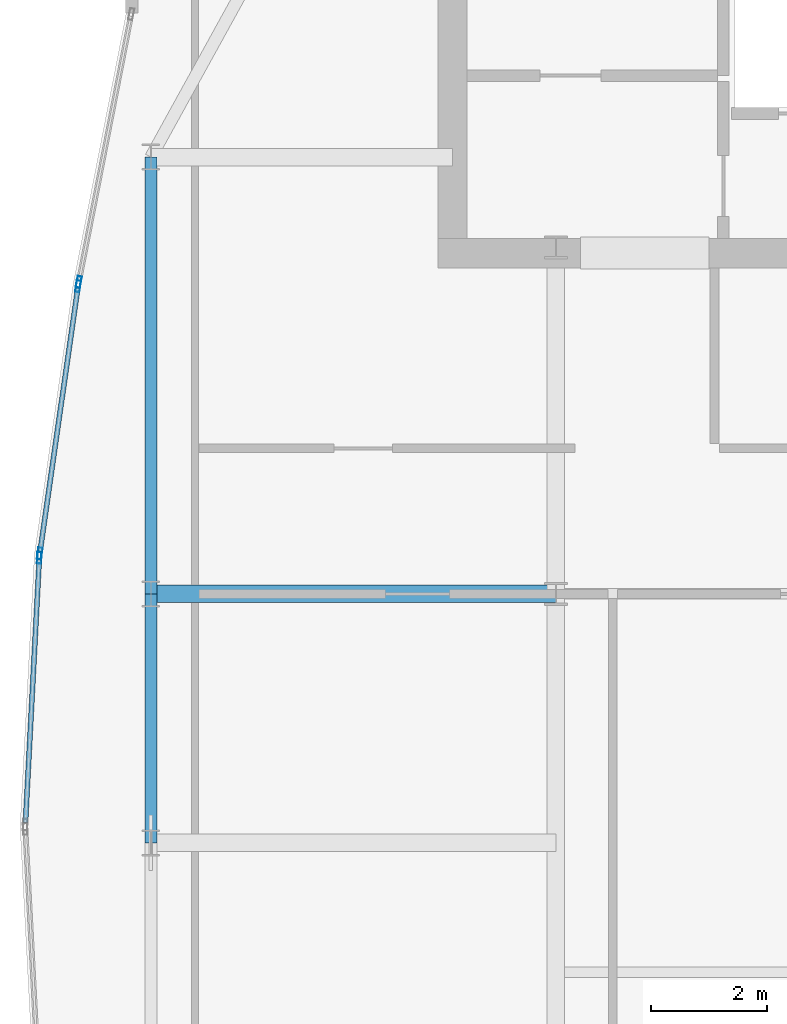
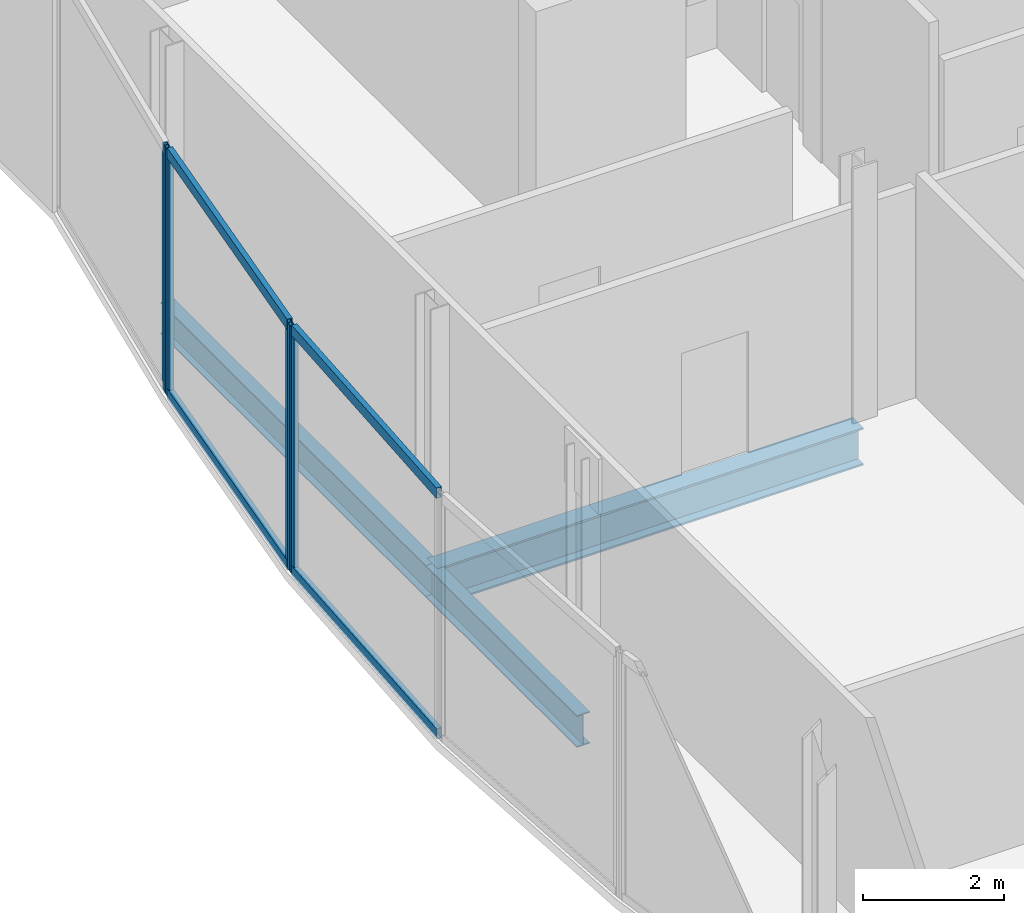
# One storey, part 10 of 27: 8 members, 3 beams, 3 elements without a shape of their own.
"""IFC4 building model written with IfcOpenShell, lengths in metres."""

from ifc_helpers import new_model, si_unit, direction, frame, origin, origin_2d, place, context, subcontext, project, spatial, hollow_rectangle, i_section, extrude, material, material_profile, profile_set, type_object, element, aggregate, save


model = new_model("IFC4")

# Units and contexts
model_context = context("Model", 3, precision=1e-05, world=origin(), true_north=direction((0.0, 1.0)))
body_context = subcontext(model_context, "Body", "Model", "MODEL_VIEW")
ifc_project = project(units=[si_unit("LENGTHUNIT", "METRE"), si_unit("AREAUNIT", "SQUARE_METRE"), si_unit("VOLUMEUNIT", "CUBIC_METRE"), si_unit("PLANEANGLEUNIT", "RADIAN"), si_unit("MASSUNIT", "GRAM", prefix="KILO")], contexts=[model_context])

# Site, building, storey
site_placement = place(None, origin())
site = spatial("IfcSite", under=ifc_project, at=site_placement, CompositionType="ELEMENT")
building_placement = place(site_placement, origin())
building = spatial("IfcBuilding", under=site, at=building_placement, Name="Khoronbel Lancet Exchange", CompositionType="ELEMENT")
storey_placement = place(building_placement, frame((0.0, 0.0, 310.199951171875)))
storey = spatial("IfcBuildingStorey", under=building, at=storey_placement, Name="L80", CompositionType="ELEMENT", Elevation=310.199951171875)

# Beams
ifc_material_1 = material(Name="Steel S355", Category="steel")
ifc_material_profile_1 = material_profile(ifc_material_1, i_section(OverallWidth=0.300048828125, OverallDepth=0.64990234375, WebThickness=0.01611328125, FlangeThickness=0.031005859375, at=origin_2d()), Name="HEB 650")
ifc_profile_set_1 = profile_set([ifc_material_profile_1], Name="Steel S355")
beam_type_1 = type_object("IfcBeamType", Name="BM-BG4", PredefinedType="BEAM", material=ifc_profile_set_1)
beam_1_placement = place(storey_placement, frame((11.27001953125, 35.699951171875, -0.48486328125), z_axis=(1.0, 0.0, 0.0), x_axis=(0.0, 1.0, 0.0)))
element("IfcBeam", 1, at=beam_1_placement, inside=storey, type_object=beam_type_1, Name="Level L80 west lens tie girder LG4W", PredefinedType="BEAM", context=body_context, shape_type="SweptSolid", body=[
    extrude(i_section(OverallWidth=0.300048828125, OverallDepth=0.64990234375, WebThickness=0.01611328125, FlangeThickness=0.031005859375, at=origin_2d()), origin(), (0.0, 0.0, 1.0), 6.955078125),
])
ifc_material_profile_2 = material_profile(ifc_material_1, i_section(OverallWidth=0.2099609375, OverallDepth=0.550048828125, WebThickness=0.010986328125, FlangeThickness=0.01708984375, at=origin_2d()), Name="IPE 550")
ifc_profile_set_2 = profile_set([ifc_material_profile_2], Name="Steel S355")
beam_type_2 = type_object("IfcBeamType", Name="BM-BSP3", PredefinedType="SPANDREL", material=ifc_profile_set_2)
beam_2_placement = place(storey_placement, frame((11.27001953125, 43.199951171875, -0.43505859375), z_axis=(0.0, -1.0, 0.0), x_axis=(1.0, 0.0, 0.0)))
element("IfcBeam", 2, at=beam_2_placement, inside=storey, type_object=beam_type_2, Name="Level L80 perimeter spandrel beam SP15", PredefinedType="SPANDREL", context=body_context, shape_type="SweptSolid", body=[
    extrude(i_section(OverallWidth=0.2099609375, OverallDepth=0.550048828125, WebThickness=0.010986328125, FlangeThickness=0.01708984375, at=origin_2d()), origin(), (0.0, 0.0, 1.0), 7.5),
])
beam_3_placement = place(storey_placement, frame((11.27001953125, 35.699951171875, -0.43505859375), z_axis=(0.0, -1.0, 0.0), x_axis=(1.0, 0.0, 0.0)))
element("IfcBeam", 3, at=beam_3_placement, inside=storey, type_object=beam_type_2, Name="Level L80 perimeter spandrel beam SP16", PredefinedType="SPANDREL", context=body_context, shape_type="SweptSolid", body=[
    extrude(i_section(OverallWidth=0.2099609375, OverallDepth=0.550048828125, WebThickness=0.010986328125, FlangeThickness=0.01708984375, at=origin_2d()), origin(), (0.0, 0.0, 1.0), 4.27490234375),
])

# Curtain wall, member
ifc_material_2 = material(Name="Low-E Solar Control Insulating Glass", Category="glass")
curtain_wall_type = type_object("IfcCurtainWallType", Name="CW-4", PredefinedType="NOTDEFINED", material=ifc_material_2)
curtain_wall_1_placement = place(storey_placement, origin())
curtain_wall_1 = element("IfcCurtainWall", 4, at=curtain_wall_1_placement, inside=storey, type_object=curtain_wall_type, Name="Unitised curtain wall CW-L80-E07", PredefinedType="NOTDEFINED")
ifc_material_3 = material(Name="Bronze-Anodised Aluminium 6063-T6", Category="aluminium")
ifc_material_profile_3 = material_profile(ifc_material_3, hollow_rectangle(XDim=0.074951171875, YDim=0.199951171875, WallThickness=0.0048828125, at=origin_2d()), Name="ALU MULLION 75x200")
ifc_profile_set_3 = profile_set([ifc_material_profile_3], Name="Bronze-Anodised Aluminium 6063-T6")
member_type_1 = type_object("IfcMemberType", Name="MEM-CWM2", PredefinedType="MULLION", material=ifc_profile_set_3)
member_1_placement = place(storey_placement, frame((9.354736328125, 36.320556640625, 0.0), z_axis=(0.0, 0.0, 1.0), x_axis=(-0.998625163462, 0.052419298932, 0.0)))
member_1 = element("IfcMember", 5, at=member_1_placement, type_object=member_type_1, Name="CW4 mullion 2", PredefinedType="MULLION", context=body_context, shape_type="SweptSolid", body=[
    extrude(hollow_rectangle(XDim=0.074951171875, YDim=0.199951171875, WallThickness=0.0048828125, at=origin_2d()), origin(), (0.0, 0.0, 1.0), 4.239990234375),
])

# Curtain wall, members
curtain_wall_2_placement = place(storey_placement, origin())
curtain_wall_2 = element("IfcCurtainWall", 6, at=curtain_wall_2_placement, inside=storey, type_object=curtain_wall_type, Name="Unitised curtain wall CW-L80-E08", PredefinedType="NOTDEFINED")
member_2_placement = place(storey_placement, frame((9.362060546875, 36.39501953125, 0.0), z_axis=(0.0, 0.0, 1.0), x_axis=(-0.989880131819, 0.141906041556, 0.0)))
member_2 = element("IfcMember", 7, at=member_2_placement, type_object=member_type_1, Name="CW4 mullion 1", PredefinedType="MULLION", context=body_context, shape_type="SweptSolid", body=[
    extrude(hollow_rectangle(XDim=0.074951171875, YDim=0.199951171875, WallThickness=0.0048828125, at=origin_2d()), origin(), (0.0, 0.0, 1.0), 4.239990234375),
])
member_3_placement = place(storey_placement, frame((10.01953125, 40.981201171875, 0.0), z_axis=(0.0, 0.0, 1.0), x_axis=(-0.989880131819, 0.141906041556, 0.0)))
member_3 = element("IfcMember", 8, at=member_3_placement, type_object=member_type_1, Name="CW4 mullion 2", PredefinedType="MULLION", context=body_context, shape_type="SweptSolid", body=[
    extrude(hollow_rectangle(XDim=0.074951171875, YDim=0.199951171875, WallThickness=0.0048828125, at=origin_2d()), origin(), (0.0, 0.0, 1.0), 4.239990234375),
])

# Curtain wall, member
curtain_wall_3_placement = place(storey_placement, origin())
curtain_wall_3 = element("IfcCurtainWall", 9, at=curtain_wall_3_placement, inside=storey, type_object=curtain_wall_type, Name="Unitised curtain wall CW-L80-E09", PredefinedType="NOTDEFINED")
member_4_placement = place(storey_placement, frame((10.0322265625, 41.05517578125, 0.0), z_axis=(0.0, 0.0, 1.0), x_axis=(-0.981360294009, 0.192176932391, 0.0)))
member_4 = element("IfcMember", 10, at=member_4_placement, type_object=member_type_1, Name="CW4 mullion 1", PredefinedType="MULLION", context=body_context, shape_type="SweptSolid", body=[
    extrude(hollow_rectangle(XDim=0.074951171875, YDim=0.199951171875, WallThickness=0.0048828125, at=origin_2d()), origin(), (0.0, 0.0, 1.0), 4.239990234375),
])
aggregate(curtain_wall_3, [member_4])

# Member
ifc_material_profile_4 = material_profile(ifc_material_3, hollow_rectangle(XDim=0.0849609375, YDim=0.179931640625, WallThickness=0.0048828125, at=origin_2d()), Name="ALU TRANSOM 85x180")
ifc_profile_set_4 = profile_set([ifc_material_profile_4], Name="Bronze-Anodised Aluminium 6063-T6")
member_type_2 = type_object("IfcMemberType", Name="MEM-CWT1", PredefinedType="USERDEFINED", material=ifc_profile_set_4)
member_5_placement = place(storey_placement, frame((9.1162109375, 31.77490234375, 0.04248046875), z_axis=(0.052405550102, 0.998625885063, 0.0), x_axis=(-0.998625885063, 0.052405550102, 0.0)))
member_5 = element("IfcMember", 11, at=member_5_placement, type_object=member_type_2, Name="CW4 transom 1.1", ObjectType="TRANSOM", PredefinedType="USERDEFINED", context=body_context, shape_type="SweptSolid", body=[
    extrude(hollow_rectangle(XDim=0.0849609375, YDim=0.179931640625, WallThickness=0.0048828125, at=origin_2d()), origin(), (0.0, 0.0, 1.0), 4.51416015625),
])

member_6_placement = place(storey_placement, frame((9.1162109375, 31.77490234375, 4.197509765625), z_axis=(0.052405550102, 0.998625885063, 0.0), x_axis=(-0.998625885063, 0.052405550102, 0.0)))
member_6 = element("IfcMember", 12, at=member_6_placement, type_object=member_type_2, Name="CW4 transom 1.2", ObjectType="TRANSOM", PredefinedType="USERDEFINED", context=body_context, shape_type="SweptSolid", body=[
    extrude(hollow_rectangle(XDim=0.0849609375, YDim=0.179931640625, WallThickness=0.0048828125, at=origin_2d()), origin(), (0.0, 0.0, 1.0), 4.51416015625),
])

aggregate(curtain_wall_1, [member_1, member_5, member_6])

member_7_placement = place(storey_placement, frame((9.367431640625, 36.43212890625, 0.04248046875), z_axis=(0.141886260513, 0.989882967364, 0.0), x_axis=(-0.989882967364, 0.141886260513, 0.0)))
member_7 = element("IfcMember", 13, at=member_7_placement, type_object=member_type_2, Name="CW4 transom 1.1", ObjectType="TRANSOM", PredefinedType="USERDEFINED", context=body_context, shape_type="SweptSolid", body=[
    extrude(hollow_rectangle(XDim=0.0849609375, YDim=0.179931640625, WallThickness=0.0048828125, at=origin_2d()), origin(), (0.0, 0.0, 1.0), 4.55810546875),
])

member_8_placement = place(storey_placement, frame((9.367431640625, 36.43212890625, 4.197509765625), z_axis=(0.141886260513, 0.989882967364, 0.0), x_axis=(-0.989882967364, 0.141886260513, 0.0)))
member_8 = element("IfcMember", 14, at=member_8_placement, type_object=member_type_2, Name="CW4 transom 1.2", ObjectType="TRANSOM", PredefinedType="USERDEFINED", context=body_context, shape_type="SweptSolid", body=[
    extrude(hollow_rectangle(XDim=0.0849609375, YDim=0.179931640625, WallThickness=0.0048828125, at=origin_2d()), origin(), (0.0, 0.0, 1.0), 4.55810546875),
])

aggregate(curtain_wall_2, [member_2, member_3, member_7, member_8])

save(model, "model.ifc")
